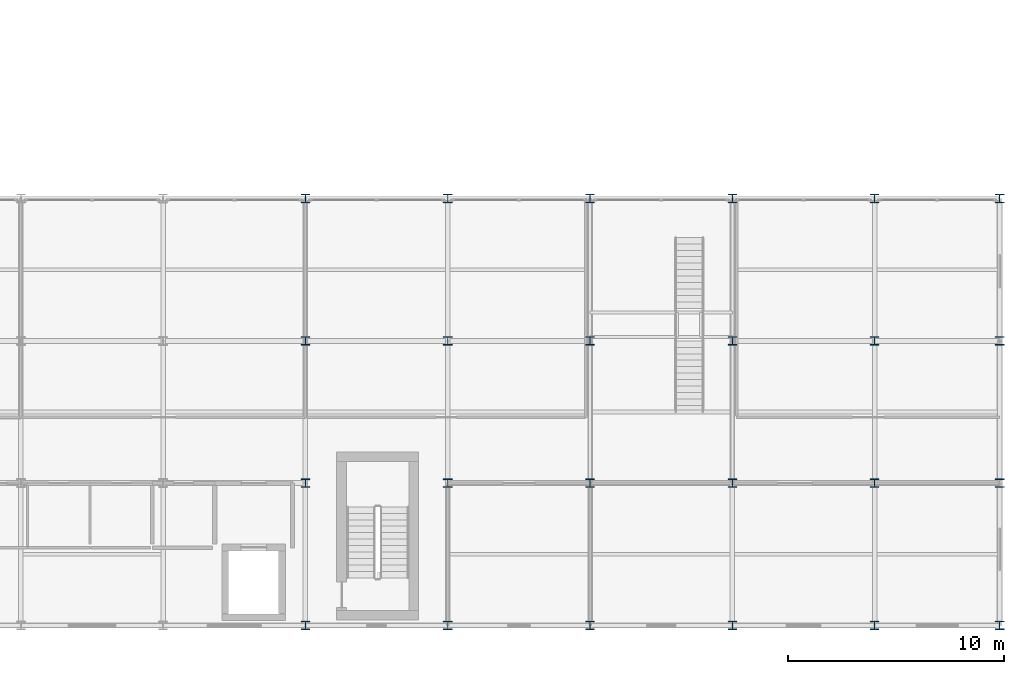
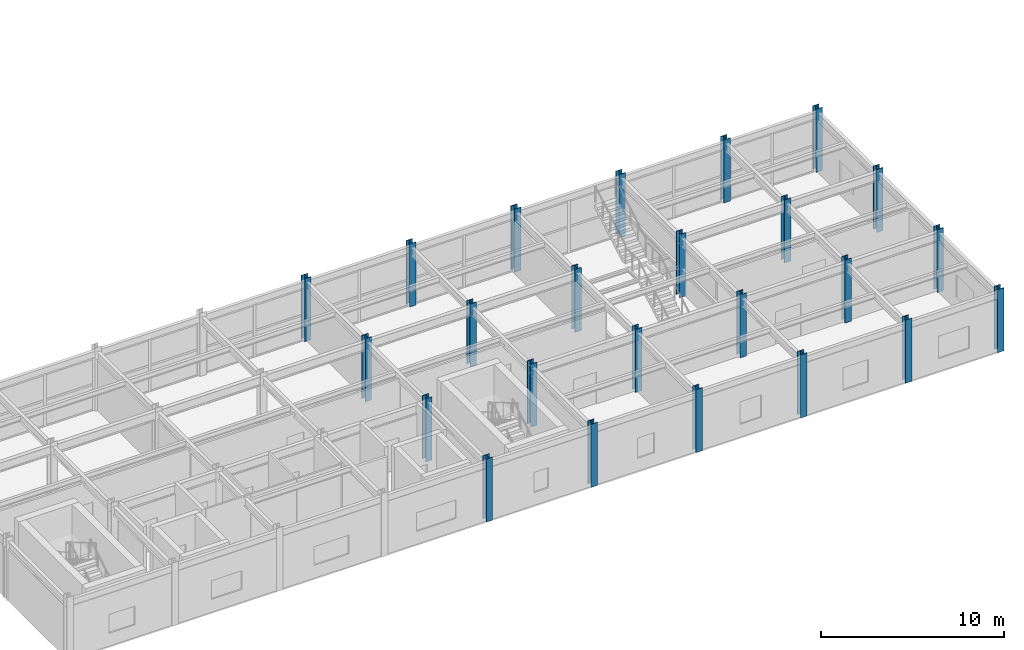
# One storey, part 19 of 157: 24 columns.
"""IFC4 building model written with IfcOpenShell, lengths in metres."""

from ifc_helpers import new_model, si_unit, direction, frame, origin, origin_2d, place, context, subcontext, project, spatial, i_section, extrude, material, material_profile, profile_set, type_object, element, save


model = new_model("IFC4")

# Units and contexts
model_context = context("Model", 3, precision=1e-05, world=origin(), true_north=direction((0.0, 1.0)))
body_context = subcontext(model_context, "Body", "Model", "MODEL_VIEW")
ifc_project = project(units=[si_unit("LENGTHUNIT", "METRE"), si_unit("AREAUNIT", "SQUARE_METRE"), si_unit("VOLUMEUNIT", "CUBIC_METRE"), si_unit("PLANEANGLEUNIT", "RADIAN"), si_unit("MASSUNIT", "GRAM", prefix="KILO")], contexts=[model_context])

# Site, building, storey
site_placement = place(None, origin())
site = spatial("IfcSite", under=ifc_project, at=site_placement, CompositionType="ELEMENT")
building_placement = place(site_placement, origin())
building = spatial("IfcBuilding", under=site, at=building_placement, Name="Karori Crest Natural Sciences Institute", CompositionType="ELEMENT")
storey_placement = place(building_placement, frame((0.0, 0.0, 13.300048828125)))
storey = spatial("IfcBuildingStorey", under=building, at=storey_placement, Name="L03", CompositionType="ELEMENT", Elevation=13.300048828125)

# Columns
ifc_material = material(Name="Structural steel AS/NZS 3679.1 Grade 350", Category="steel")
ifc_material_profile_1 = material_profile(ifc_material, i_section(OverallWidth=0.39990234375, OverallDepth=0.39990234375, WebThickness=0.02001953125, FlangeThickness=0.034912109375, FilletRadius=0.01611328125, at=origin_2d()), Name="400WC328")
ifc_profile_set_1 = profile_set([ifc_material_profile_1], Name="Structural steel AS/NZS 3679.1 Grade 350")
column_type_1 = type_object("IfcColumnType", Name="CT-02", PredefinedType="COLUMN", material=ifc_profile_set_1)
for number, where, z_axis, x_axis, name in (
    (1, (130.0, 7.39990234375, 0.0), (0.0, 0.0, 1.0), (1.0, 0.0, 0.0), "Column C-1225"),
    (2, (130.0, 14.0, 0.0), (0.0, 0.0, 1.0), (1.0, 0.0, 0.0), "Column C-1237"),
    (3, (136.60009765625, 7.39990234375, 0.0), (0.0, 0.0, 1.0), (1.0, 0.0, 0.0), "Column C-1273"),
    (4, (136.60009765625, 14.0, 0.0), (0.0, 0.0, 1.0), (1.0, 0.0, 0.0), "Column C-1285"),
    (5, (143.199951171875, 7.39990234375, 0.0), (0.0, 0.0, 1.0), (1.0, 0.0, 0.0), "Column C-1320"),
    (6, (143.199951171875, 14.0, 0.0), (0.0, 0.0, 1.0), (1.0, 0.0, 0.0), "Column C-1331"),
    (7, (149.800048828125, 7.39990234375, 0.0), (0.0, 0.0, 1.0), (1.0, 0.0, 0.0), "Column C-1364"),
    (8, (149.800048828125, 14.0, 0.0), (0.0, 0.0, 1.0), (1.0, 0.0, 0.0), "Column C-1375"),
    (9, (156.39990234375, 7.39990234375, 0.0), (0.0, 0.0, 1.0), (1.0, 0.0, 0.0), "Column C-1406"),
    (10, (156.39990234375, 14.0, 0.0), (0.0, 0.0, 1.0), (1.0, 0.0, 0.0), "Column C-1415"),
):
    element("IfcColumn", number, at=place(storey_placement, frame(where, z_axis=z_axis, x_axis=x_axis)), inside=storey, type_object=column_type_1, Name=name, PredefinedType="COLUMN", context=body_context, shape_type="SweptSolid", body=[
        extrude(i_section(OverallWidth=0.39990234375, OverallDepth=0.39990234375, WebThickness=0.02001953125, FlangeThickness=0.034912109375, FilletRadius=0.01611328125, at=origin_2d()), origin(), (0.0, 0.0, 1.0), 4.199951171875),
    ])
ifc_material_profile_2 = material_profile(ifc_material, i_section(OverallWidth=0.39990234375, OverallDepth=0.39990234375, WebThickness=0.02001953125, FlangeThickness=0.034912109375, FilletRadius=0.01611328125, at=origin_2d()), Name="400WC328")
ifc_profile_set_2 = profile_set([ifc_material_profile_2], Name="Structural steel AS/NZS 3679.1 Grade 350")
column_type_2 = type_object("IfcColumnType", Name="CT-02-EL", PredefinedType="COLUMN", material=ifc_profile_set_2)
for number, where, z_axis, x_axis, name in (
    (11, (130.0, 0.800048828125, 0.0), (0.0, 0.0, 1.0), (1.0, 0.0, 0.0), "Column C-1213"),
    (12, (130.0, 20.60009765625, 0.0), (0.0, 0.0, 1.0), (1.0, 0.0, 0.0), "Column C-1249"),
    (13, (136.60009765625, 0.800048828125, 0.0), (0.0, 0.0, 1.0), (1.0, 0.0, 0.0), "Column C-1261"),
    (14, (136.60009765625, 20.60009765625, 0.0), (0.0, 0.0, 1.0), (1.0, 0.0, 0.0), "Column C-1297"),
    (15, (143.199951171875, 0.800048828125, 0.0), (0.0, 0.0, 1.0), (1.0, 0.0, 0.0), "Column C-1309"),
    (16, (143.199951171875, 20.60009765625, 0.0), (0.0, 0.0, 1.0), (1.0, 0.0, 0.0), "Column C-1342"),
    (17, (149.800048828125, 0.800048828125, 0.0), (0.0, 0.0, 1.0), (1.0, 0.0, 0.0), "Column C-1353"),
    (18, (149.800048828125, 20.60009765625, 0.0), (0.0, 0.0, 1.0), (1.0, 0.0, 0.0), "Column C-1386"),
    (19, (156.39990234375, 0.800048828125, 0.0), (0.0, 0.0, 1.0), (1.0, 0.0, 0.0), "Column C-1397"),
    (20, (156.39990234375, 20.60009765625, 0.0), (0.0, 0.0, 1.0), (1.0, 0.0, 0.0), "Column C-1424"),
    (21, (162.199951171875, 0.800048828125, 0.0), (0.0, 0.0, 1.0), (1.0, 0.0, 0.0), "Column C-1433"),
    (22, (162.199951171875, 7.39990234375, 0.0), (0.0, 0.0, 1.0), (1.0, 0.0, 0.0), "Column C-1440"),
    (23, (162.199951171875, 14.0, 0.0), (0.0, 0.0, 1.0), (1.0, 0.0, 0.0), "Column C-1447"),
    (24, (162.199951171875, 20.60009765625, 0.0), (0.0, 0.0, 1.0), (1.0, 0.0, 0.0), "Column C-1454"),
):
    element("IfcColumn", number, at=place(storey_placement, frame(where, z_axis=z_axis, x_axis=x_axis)), inside=storey, type_object=column_type_2, Name=name, PredefinedType="COLUMN", context=body_context, shape_type="SweptSolid", body=[
        extrude(i_section(OverallWidth=0.39990234375, OverallDepth=0.39990234375, WebThickness=0.02001953125, FlangeThickness=0.034912109375, FilletRadius=0.01611328125, at=origin_2d()), origin(), (0.0, 0.0, 1.0), 4.199951171875),
    ])

save(model, "model.ifc")
